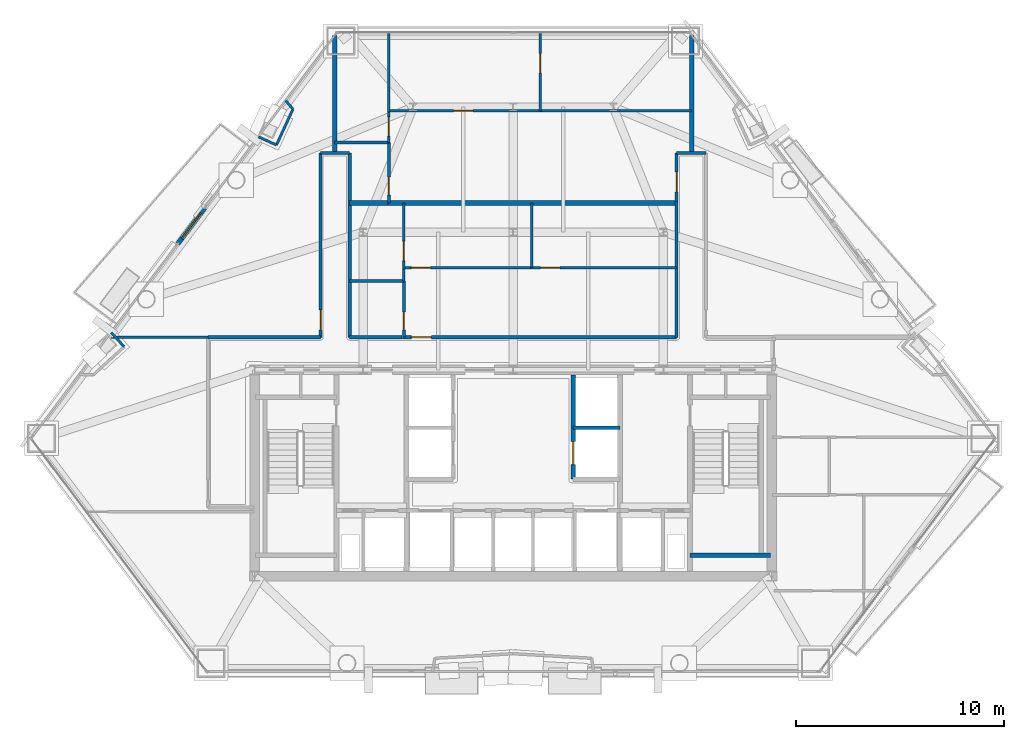
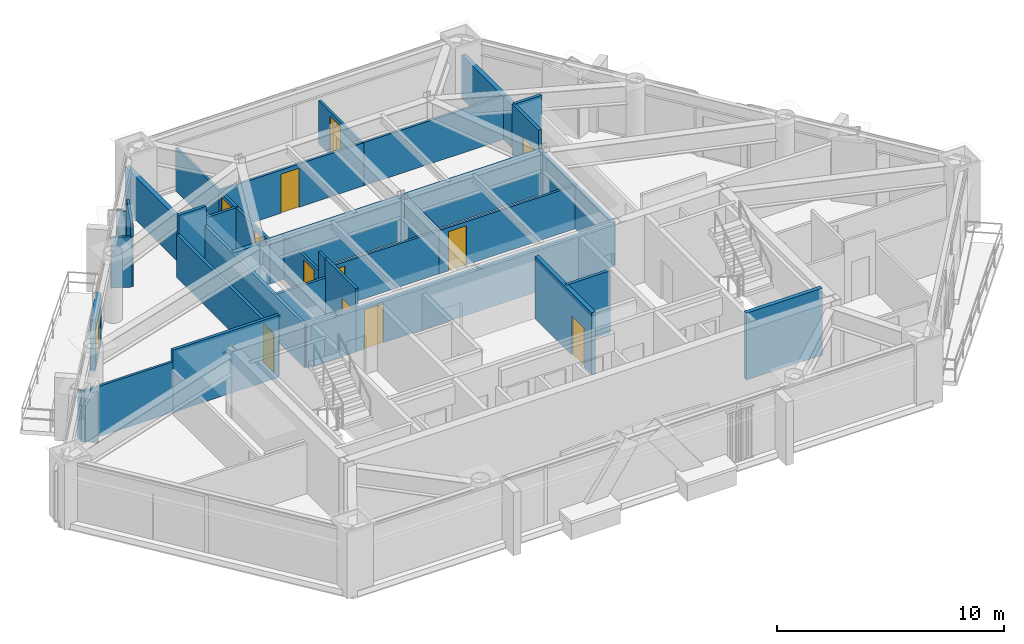
# One storey, part 7 of 11: 36 walls, 13 doors, 13 openings.
"""IFC4 building model written with IfcOpenShell, lengths in metres."""

from ifc_helpers import new_model, si_unit, direction, frame, frame_2d, origin, place, context, subcontext, project, spatial, rectangle, extrude, material, layer, layer_set, type_object, element, fill, save


model = new_model("IFC4")

# Units and contexts
model_context = context("Model", 3, precision=1e-05, world=origin(), true_north=direction((0.0, 1.0)))
body_context = subcontext(model_context, "Body", "Model", "MODEL_VIEW")
ifc_project = project(units=[si_unit("LENGTHUNIT", "METRE"), si_unit("AREAUNIT", "SQUARE_METRE"), si_unit("VOLUMEUNIT", "CUBIC_METRE"), si_unit("PLANEANGLEUNIT", "RADIAN"), si_unit("MASSUNIT", "GRAM", prefix="KILO")], contexts=[model_context])

# Site, building, storey
site_placement = place(None, origin())
site = spatial("IfcSite", under=ifc_project, at=site_placement, CompositionType="ELEMENT")
building_placement = place(site_placement, origin())
building = spatial("IfcBuilding", under=site, at=building_placement, Name="Talgorran Terracotta Tower", CompositionType="ELEMENT")
storey_placement = place(building_placement, frame((0.0, 0.0, 35.10009765625)))
storey = spatial("IfcBuildingStorey", under=building, at=storey_placement, Name="L08", CompositionType="ELEMENT", Elevation=35.10009765625)

# Wall, opening, door
ifc_material_1 = material(Name="Concrete C40/50", Category="concrete")
ifc_layer_1 = layer(ifc_material_1, 0.239990234375, Name="WT_BALCONY_SPAND")
ifc_layer_set_1 = layer_set([ifc_layer_1], Name="Concrete C40/50")
wall_type_1 = type_object("IfcWallType", Name="WT_BALCONY_SPAND", PredefinedType="STANDARD", material=ifc_layer_set_1)
wall_1_placement = place(storey_placement, frame((-14.799560546875, 3.560791015625, -0.01513671875), z_axis=(0.0, 0.0, 1.0), x_axis=(-0.601823875366, -0.798628839349, 0.0)))
wall_1 = element("IfcWall", 1, at=wall_1_placement, inside=storey, type_object=wall_type_1, Name="WL-L08-BALP-BAL-NW", PredefinedType="STANDARD", context=body_context, shape_type="SweptSolid", body=[
    extrude(rectangle(XDim=2.139892578125, YDim=0.239990234375, at=frame_2d((1.06982421875, 0.0))), origin(), (0.0, 0.0, 1.0), 2.728515625),
])
opening_1_placement = place(wall_1_placement, frame((0.320068359375, 0.0, 0.014892578125)))
opening_1 = element("IfcOpeningElement", 2, at=opening_1_placement, cuts=wall_1, Name="Opening D-BAL-L08-2", PredefinedType="OPENING", context=body_context, shape_type="SweptSolid", body=[
    extrude(rectangle(XDim=1.506, YDim=2.203951171875, at=frame_2d((0.75, 1.10205078125))), frame((0.0, 0.1298828125, 0.0), z_axis=(0.0, -1.0, 0.0), x_axis=(1.0, 0.0, 0.0)), (0.0, 0.0, 1.0), 0.260009765625),
])
ifc_material_2 = material(Name="Thermally Broken Aluminium", Category="aluminium")
door_type_1 = type_object("IfcDoorType", Name="DT_BALC_1500", OperationType="SLIDING_TO_RIGHT", PredefinedType="DOOR", material=ifc_material_2)
door_1_placement = place(opening_1_placement, origin())
door_1 = element("IfcDoor", 3, at=door_1_placement, inside=storey, type_object=door_type_1, Name="DR-L08-BAL-BAL-NW", OperationType="SLIDING_TO_RIGHT", OverallHeight=2.199951171875, OverallWidth=1.5, PredefinedType="DOOR", context=body_context, shape_type="SweptSolid", body=[
    extrude(rectangle(XDim=1.5, YDim=2.199951171875, at=frame_2d((0.75, 1.10009765625))), frame((0.0, 0.02490234375, 0.0), z_axis=(0.0, -1.0, 0.0), x_axis=(1.0, 0.0, 0.0)), (0.0, 0.0, 1.0), 0.050048828125),
])
fill(opening_1, door_1)

# Wall
ifc_material_3 = material(Name="Concrete C50/60", Category="concrete")
ifc_layer_2 = layer(ifc_material_3, 0.199951171875, Name="WT_CORE_200")
ifc_layer_set_2 = layer_set([ifc_layer_2], Name="Concrete C50/60")
wall_type_2 = type_object("IfcWallType", Name="WT_CORE_200", PredefinedType="SOLIDWALL", material=ifc_layer_set_2)
wall_2_placement = place(storey_placement, frame((8.47998046875, -13.10009765625, 0.0), z_axis=(0.0, 0.0, 1.0), x_axis=(1.0, 0.0, 0.0)))
element("IfcWall", 4, at=wall_2_placement, inside=storey, type_object=wall_type_2, Name="WL-L08-CW-ST2-S", PredefinedType="SOLIDWALL", context=body_context, shape_type="SweptSolid", body=[
    extrude(rectangle(XDim=3.8701171875, YDim=0.199951171875, at=frame_2d((1.93505859375, 0.0))), origin(), (0.0, 0.0, 1.0), 3.599853515625),
])

# Wall, opening, door
wall_3_placement = place(storey_placement, frame((2.8798828125, -9.449951171875, 0.0), z_axis=(0.0, 0.0, 1.0), x_axis=(0.0, 1.0, 0.0)))
wall_3 = element("IfcWall", 5, at=wall_3_placement, inside=storey, type_object=wall_type_2, Name="WL-L08-CW-V-E3", PredefinedType="SOLIDWALL", context=body_context, shape_type="SweptSolid", body=[
    extrude(rectangle(XDim=5.0, YDim=0.199951171875, at=frame_2d((2.5, 0.0))), origin(), (0.0, 0.0, 1.0), 3.349853515625),
])
opening_2_placement = place(wall_3_placement, frame((0.699951171875, 0.0, 0.0)))
opening_2 = element("IfcOpeningElement", 6, at=opening_2_placement, cuts=wall_3, Name="Opening LD-PLM1", PredefinedType="OPENING", context=body_context, shape_type="SweptSolid", body=[
    extrude(rectangle(XDim=1.10609765625, YDim=2.10409765625, at=frame_2d((0.550048828125, 1.052001953125))), frame((0.0, 0.10986328125, 0.0), z_axis=(0.0, -1.0, 0.0), x_axis=(1.0, 0.0, 0.0)), (0.0, 0.0, 1.0), 0.219970703125),
])
ifc_material_4 = material(Name="Brushed Stainless Steel Grade 304", Category="steel")
door_type_2 = type_object("IfcDoorType", Name="DT_LIFT_LD1100", OperationType="DOUBLE_DOOR_SLIDING", PredefinedType="DOOR", material=ifc_material_4)
door_2_placement = place(opening_2_placement, origin())
door_2 = element("IfcDoor", 7, at=door_2_placement, inside=storey, type_object=door_type_2, Name="L08 Lift Landing Door LD-PLM1", OperationType="DOUBLE_DOOR_SLIDING", OverallHeight=2.10009765625, OverallWidth=1.10009765625, PredefinedType="DOOR", context=body_context, shape_type="SweptSolid", body=[
    extrude(rectangle(XDim=1.10009765625, YDim=2.10009765625, at=frame_2d((0.550048828125, 1.050048828125))), frame((0.0, 0.02490234375, 0.0), z_axis=(0.0, -1.0, 0.0), x_axis=(1.0, 0.0, 0.0)), (0.0, 0.0, 1.0), 0.050048828125),
])
fill(opening_2, door_2)

ifc_material_5 = material(Name="Fire-Rated Steel Stud Plasterboard", Category="steel")
ifc_layer_3 = layer(ifc_material_5, 0.14990234375, Name="WT_FIRE_150")
ifc_layer_set_3 = layer_set([ifc_layer_3], Name="Fire-Rated Steel Stud Plasterboard")
wall_type_3 = type_object("IfcWallType", Name="WT_FIRE_150", PredefinedType="PARTITIONING", material=ifc_layer_set_3)
wall_4_placement = place(storey_placement, frame((-5.320068359375, -2.639892578125, 0.0), z_axis=(0.0, 0.0, 1.0), x_axis=(1.0, 0.0, 0.0)))
wall_4 = element("IfcWall", 8, at=wall_4_placement, inside=storey, type_object=wall_type_3, Name="WL-L08-W-L08-R10", PredefinedType="PARTITIONING", context=body_context, shape_type="SweptSolid", body=[
    extrude(rectangle(XDim=13.16015625, YDim=0.14990234375, at=frame_2d((6.580078125, 0.0))), origin(), (0.0, 0.0, 1.0), 2.324951171875),
])
opening_3_placement = place(wall_4_placement, frame((0.439208984375, 0.0, 0.0)))
opening_3 = element("IfcOpeningElement", 9, at=opening_3_placement, cuts=wall_4, Name="Opening DR-L08-R11", PredefinedType="OPENING", context=body_context, shape_type="SweptSolid", body=[
    extrude(rectangle(XDim=0.955951171875, YDim=2.10409765625, at=frame_2d((0.47509765625, 1.052001953125))), frame((0.0, 0.0849609375, 0.0), z_axis=(0.0, -1.0, 0.0), x_axis=(1.0, 0.0, 0.0)), (0.0, 0.0, 1.0), 0.169921875),
])
ifc_material_6 = material(Name="Fire-Rated Timber Core", Category="wood")
door_type_3 = type_object("IfcDoorType", Name="DT_FIRE_950", OperationType="NOTDEFINED", PredefinedType="DOOR", material=ifc_material_6)
door_3_placement = place(opening_3_placement, origin())
door_3 = element("IfcDoor", 10, at=door_3_placement, inside=storey, type_object=door_type_3, Name="DR-L08-R11", OperationType="SINGLE_SWING_LEFT", OverallHeight=2.10009765625, OverallWidth=0.949951171875, PredefinedType="DOOR", context=body_context, shape_type="SweptSolid", body=[
    extrude(rectangle(XDim=0.949951171875, YDim=2.10009765625, at=frame_2d((0.47509765625, 1.050048828125))), frame((0.0, 0.02490234375, 0.0), z_axis=(0.0, -1.0, 0.0), x_axis=(1.0, 0.0, 0.0)), (0.0, 0.0, 1.0), 0.050048828125),
])
fill(opening_3, door_3)

wall_5_placement = place(storey_placement, frame((-9.239990234375, -2.639892578125, 0.0), z_axis=(0.0, 0.0, 1.0), x_axis=(0.0, 1.0, 0.0)))
wall_5 = element("IfcWall", 11, at=wall_5_placement, inside=storey, type_object=wall_type_3, Name="WL-L08-W-L08-R05", PredefinedType="PARTITIONING", context=body_context, shape_type="SweptSolid", body=[
    extrude(rectangle(XDim=8.83984375, YDim=0.14990234375, at=frame_2d((4.419921875, 0.0))), origin(), (0.0, 0.0, 1.0), 2.324951171875),
])
opening_4_placement = place(wall_5_placement, frame((0.359130859375, 0.0, 0.0)))
opening_4 = element("IfcOpeningElement", 12, at=opening_4_placement, cuts=wall_5, Name="Opening DR-L08-R08", PredefinedType="OPENING", context=body_context, shape_type="SweptSolid", body=[
    extrude(rectangle(XDim=0.955951171875, YDim=2.10409765625, at=frame_2d((0.47509765625, 1.052001953125))), frame((0.0, 0.0849609375, 0.0), z_axis=(0.0, -1.0, 0.0), x_axis=(1.0, 0.0, 0.0)), (0.0, 0.0, 1.0), 0.169921875),
])
door_4_placement = place(opening_4_placement, origin())
door_4 = element("IfcDoor", 13, at=door_4_placement, inside=storey, type_object=door_type_3, Name="DR-L08-R08", OperationType="SINGLE_SWING_RIGHT", OverallHeight=2.10009765625, OverallWidth=0.949951171875, PredefinedType="DOOR", context=body_context, shape_type="SweptSolid", body=[
    extrude(rectangle(XDim=0.949951171875, YDim=2.10009765625, at=frame_2d((0.47509765625, 1.050048828125))), frame((0.0, 0.02490234375, 0.0), z_axis=(0.0, -1.0, 0.0), x_axis=(1.0, 0.0, 0.0)), (0.0, 0.0, 1.0), 0.050048828125),
])
fill(opening_4, door_4)

# Walls
wall_6_placement = place(storey_placement, frame((-14.639892578125, -2.639892578125, 0.0), z_axis=(0.0, 0.0, 1.0), x_axis=(1.0, 0.0, 0.0)))
element("IfcWall", 14, at=wall_6_placement, inside=storey, type_object=wall_type_3, Name="WL-L08-W-L08-R04", PredefinedType="PARTITIONING", context=body_context, shape_type="SweptSolid", body=[
    extrude(rectangle(XDim=5.39990234375, YDim=0.14990234375, at=frame_2d((2.699951171875, 0.0))), origin(), (0.0, 0.0, 1.0), 3.349853515625),
])
wall_7_placement = place(storey_placement, frame((-7.840087890625, -2.639892578125, 0.0), z_axis=(0.0, 0.0, 1.0), x_axis=(0.0, 1.0, 0.0)))
element("IfcWall", 15, at=wall_7_placement, inside=storey, type_object=wall_type_3, Name="WL-L08-W-L08-R09", PredefinedType="PARTITIONING", context=body_context, shape_type="SweptSolid", body=[
    extrude(rectangle(XDim=8.83984375, YDim=0.14990234375, at=frame_2d((4.419921875, 0.0))), origin(), (0.0, 0.0, 1.0), 2.324951171875),
])
wall_8_placement = place(storey_placement, frame((7.840087890625, -2.639892578125, 0.0), z_axis=(0.0, 0.0, 1.0), x_axis=(0.0, 1.0, 0.0)))
element("IfcWall", 16, at=wall_8_placement, inside=storey, type_object=wall_type_3, Name="WL-L08-W-L08-R11", PredefinedType="PARTITIONING", context=body_context, shape_type="SweptSolid", body=[
    extrude(rectangle(XDim=6.5, YDim=0.14990234375, at=frame_2d((3.25, 0.0))), origin(), (0.0, 0.0, 1.0), 2.324951171875),
])
wall_9_placement = place(storey_placement, frame((-7.840087890625, -2.639892578125, 0.0), z_axis=(0.0, 0.0, 1.0), x_axis=(1.0, 0.0, 0.0)))
element("IfcWall", 17, at=wall_9_placement, inside=storey, type_object=wall_type_3, Name="WL-L08-W-L08-R08", PredefinedType="PARTITIONING", context=body_context, shape_type="SweptSolid", body=[
    extrude(rectangle(XDim=2.51806640625, YDim=0.14990234375, at=frame_2d((1.259033203125, 0.0))), origin(), (0.0, 0.0, 1.0), 2.324951171875),
])

# Wall, opening, door
wall_10_placement = place(storey_placement, frame((7.840087890625, 3.862060546875, 0.0), z_axis=(0.0, 0.0, 1.0), x_axis=(0.0, 1.0, 0.0)))
wall_10 = element("IfcWall", 18, at=wall_10_placement, inside=storey, type_object=wall_type_3, Name="WL-L08-W-L08-R15", PredefinedType="PARTITIONING", context=body_context, shape_type="SweptSolid", body=[
    extrude(rectangle(XDim=2.337890625, YDim=0.14990234375, at=frame_2d((1.1689453125, 0.0))), origin(), (0.0, 0.0, 1.0), 3.349853515625),
])
opening_5_placement = place(wall_10_placement, frame((0.47412109375, 0.0, 0.0)))
opening_5 = element("IfcOpeningElement", 19, at=opening_5_placement, cuts=wall_10, Name="Opening DR-L08-R16", PredefinedType="OPENING", context=body_context, shape_type="SweptSolid", body=[
    extrude(rectangle(XDim=0.955951171875, YDim=2.10409765625, at=frame_2d((0.47509765625, 1.052001953125))), frame((0.0, 0.0849609375, 0.0), z_axis=(0.0, -1.0, 0.0), x_axis=(1.0, 0.0, 0.0)), (0.0, 0.0, 1.0), 0.169921875),
])
door_5_placement = place(opening_5_placement, origin())
door_5 = element("IfcDoor", 20, at=door_5_placement, inside=storey, type_object=door_type_3, Name="DR-L08-R16", OperationType="SINGLE_SWING_RIGHT", OverallHeight=2.10009765625, OverallWidth=0.949951171875, PredefinedType="DOOR", context=body_context, shape_type="SweptSolid", body=[
    extrude(rectangle(XDim=0.949951171875, YDim=2.10009765625, at=frame_2d((0.47509765625, 1.050048828125))), frame((0.0, 0.02490234375, 0.0), z_axis=(0.0, -1.0, 0.0), x_axis=(1.0, 0.0, 0.0)), (0.0, 0.0, 1.0), 0.050048828125),
])
fill(opening_5, door_5)

# Walls
for number, where, z_axis, x_axis, name in (
    (21, (-9.239990234375, 6.199951171875, 0.0), (0.0, 0.0, 1.0), (1.0, 0.0, 0.0), "WL-L08-W-L08-R13"),
    (22, (7.840087890625, 6.199951171875, 0.0), (0.0, 0.0, 1.0), (1.0, 0.0, 0.0), "WL-L08-W-L08-R16"),
):
    element("IfcWall", number, at=place(storey_placement, frame(where, z_axis=z_axis, x_axis=x_axis)), inside=storey, type_object=wall_type_3, Name=name, PredefinedType="PARTITIONING", context=body_context, shape_type="SweptSolid", body=[
        extrude(rectangle(XDim=1.39990234375, YDim=0.14990234375, at=frame_2d((0.699951171875, 0.0))), origin(), (0.0, 0.0, 1.0), 3.349853515625),
    ])
ifc_material_7 = material(Name="Acoustic Masonry and Plasterboard", Category="masonry")
ifc_layer_4 = layer(ifc_material_7, 0.219970703125, Name="WT_PARTY_220")
ifc_layer_set_4 = layer_set([ifc_layer_4], Name="Acoustic Masonry and Plasterboard")
wall_type_4 = type_object("IfcWallType", Name="WT_PARTY_220", PredefinedType="PARTITIONING", material=ifc_layer_set_4)
wall_11_placement = place(storey_placement, frame((-6.0, 3.800048828125, 0.0), z_axis=(0.0, 0.0, 1.0), x_axis=(1.0, 0.0, 0.0)))
element("IfcWall", 23, at=wall_11_placement, inside=storey, type_object=wall_type_4, Name="WL-L08-W-L08-R44", PredefinedType="PARTITIONING", context=body_context, shape_type="SweptSolid", body=[
    extrude(rectangle(XDim=13.840087890625, YDim=0.219970703125, at=frame_2d((6.919921875, 0.0))), origin(), (0.0, 0.0, 1.0), 2.324951171875),
])
for number, where, z_axis, x_axis, name in (
    (24, (-8.56005859375, 6.199951171875, 0.0), (0.0, 0.0, 1.0), (0.0, 1.0, 0.0), "WL-L08-W-L08-R33"),
    (25, (8.56005859375, 6.199951171875, 0.0), (0.0, 0.0, 1.0), (0.0, 1.0, 0.0), "WL-L08-W-L08-R53"),
):
    element("IfcWall", number, at=place(storey_placement, frame(where, z_axis=z_axis, x_axis=x_axis)), inside=storey, type_object=wall_type_4, Name=name, PredefinedType="PARTITIONING", context=body_context, shape_type="SweptSolid", body=[
        extrude(rectangle(XDim=5.64111328125, YDim=0.219970703125, at=frame_2d((2.820556640625, 0.0))), origin(), (0.0, 0.0, 1.0), 2.324951171875),
    ])
wall_12_placement = place(storey_placement, frame((-7.840087890625, 3.800048828125, 0.0), z_axis=(0.0, 0.0, 1.0), x_axis=(1.0, 0.0, 0.0)))
element("IfcWall", 26, at=wall_12_placement, inside=storey, type_object=wall_type_4, Name="WL-L08-W-L08-R38", PredefinedType="PARTITIONING", context=body_context, shape_type="SweptSolid", body=[
    extrude(rectangle(XDim=1.838134765625, YDim=0.219970703125, at=frame_2d((0.9189453125, 0.0))), origin(), (0.0, 0.0, 1.0), 2.324951171875),
])

# Wall, opening, door
ifc_material_8 = material(Name="Insulated Steel Stud Plasterboard", Category="steel")
ifc_layer_5 = layer(ifc_material_8, 0.1201171875, Name="WT_PART_120")
ifc_layer_set_5 = layer_set([ifc_layer_5], Name="Insulated Steel Stud Plasterboard")
wall_type_5 = type_object("IfcWallType", Name="WT_PART_120", PredefinedType="PARTITIONING", material=ifc_layer_set_5)
wall_13_placement = place(storey_placement, frame((-5.9599609375, 8.219970703125, 0.0), z_axis=(0.0, 0.0, 1.0), x_axis=(1.0, 0.0, 0.0)))
wall_13 = element("IfcWall", 27, at=wall_13_placement, inside=storey, type_object=wall_type_5, Name="WL-L08-W-L08-R49", PredefinedType="PARTITIONING", context=body_context, shape_type="SweptSolid", body=[
    extrude(rectangle(XDim=7.320068359375, YDim=0.1201171875, at=frame_2d((3.66015625, 0.0))), origin(), (0.0, 0.0, 1.0), 2.324951171875),
])
opening_6_placement = place(wall_13_placement, frame((3.1005859375, 0.0, 0.0)))
opening_6 = element("IfcOpeningElement", 28, at=opening_6_placement, cuts=wall_13, Name="Opening DR-L08-R17", PredefinedType="OPENING", context=body_context, shape_type="SweptSolid", body=[
    extrude(rectangle(XDim=0.925921875, YDim=2.10409765625, at=frame_2d((0.4599609375, 1.052001953125))), frame((0.0, 0.070068359375, 0.0), z_axis=(0.0, -1.0, 0.0), x_axis=(1.0, 0.0, 0.0)), (0.0, 0.0, 1.0), 0.14013671875),
])
ifc_material_9 = material(Name="Solid-Core Painted Timber", Category="wood")
door_type_4 = type_object("IfcDoorType", Name="DT_INT_920", OperationType="NOTDEFINED", PredefinedType="DOOR", material=ifc_material_9)
door_6_placement = place(opening_6_placement, origin())
door_6 = element("IfcDoor", 29, at=door_6_placement, inside=storey, type_object=door_type_4, Name="DR-L08-R17", OperationType="SINGLE_SWING_LEFT", OverallHeight=2.10009765625, OverallWidth=0.919921875, PredefinedType="DOOR", context=body_context, shape_type="SweptSolid", body=[
    extrude(rectangle(XDim=0.919921875, YDim=2.10009765625, at=frame_2d((0.4599609375, 1.050048828125))), frame((0.0, 0.02490234375, 0.0), z_axis=(0.0, -1.0, 0.0), x_axis=(1.0, 0.0, 0.0)), (0.0, 0.0, 1.0), 0.050048828125),
])
fill(opening_6, door_6)

# Wall
wall_14_placement = place(storey_placement, frame((1.362060546875, 8.219970703125, 0.0), z_axis=(0.0, 0.0, 1.0), x_axis=(1.0, 0.0, 0.0)))
element("IfcWall", 30, at=wall_14_placement, inside=storey, type_object=wall_type_5, Name="WL-L08-W-L08-R50", PredefinedType="PARTITIONING", context=body_context, shape_type="SweptSolid", body=[
    extrude(rectangle(XDim=7.197998046875, YDim=0.1201171875, at=frame_2d((3.59912109375, 0.0))), origin(), (0.0, 0.0, 1.0), 2.324951171875),
])

# Wall, opening, door
wall_15_placement = place(storey_placement, frame((0.840087890625, 0.699951171875, 0.0), z_axis=(0.0, 0.0, 1.0), x_axis=(1.0, 0.0, 0.0)))
wall_15 = element("IfcWall", 31, at=wall_15_placement, inside=storey, type_object=wall_type_5, Name="WL-L08-W-L08-R41", PredefinedType="PARTITIONING", context=body_context, shape_type="SweptSolid", body=[
    extrude(rectangle(XDim=7.0, YDim=0.1201171875, at=frame_2d((3.5, 0.0))), origin(), (0.0, 0.0, 1.0), 2.324951171875),
])
opening_7_placement = place(wall_15_placement, frame((0.4775390625, 0.0, 0.0)))
opening_7 = element("IfcOpeningElement", 32, at=opening_7_placement, cuts=wall_15, Name="Opening DR-L08-R13", PredefinedType="OPENING", context=body_context, shape_type="SweptSolid", body=[
    extrude(rectangle(XDim=0.925921875, YDim=2.10409765625, at=frame_2d((0.4599609375, 1.052001953125))), frame((0.0, 0.070068359375, 0.0), z_axis=(0.0, -1.0, 0.0), x_axis=(1.0, 0.0, 0.0)), (0.0, 0.0, 1.0), 0.14013671875),
])
door_7_placement = place(opening_7_placement, origin())
door_7 = element("IfcDoor", 33, at=door_7_placement, inside=storey, type_object=door_type_4, Name="DR-L08-R13", OperationType="SINGLE_SWING_LEFT", OverallHeight=2.10009765625, OverallWidth=0.919921875, PredefinedType="DOOR", context=body_context, shape_type="SweptSolid", body=[
    extrude(rectangle(XDim=0.919921875, YDim=2.10009765625, at=frame_2d((0.4599609375, 1.050048828125))), frame((0.0, 0.02490234375, 0.0), z_axis=(0.0, -1.0, 0.0), x_axis=(1.0, 0.0, 0.0)), (0.0, 0.0, 1.0), 0.050048828125),
])
fill(opening_7, door_7)

wall_16_placement = place(storey_placement, frame((-5.239990234375, 0.699951171875, 0.0), z_axis=(0.0, 0.0, 1.0), x_axis=(1.0, 0.0, 0.0)))
wall_16 = element("IfcWall", 34, at=wall_16_placement, inside=storey, type_object=wall_type_5, Name="WL-L08-W-L08-R40", PredefinedType="PARTITIONING", context=body_context, shape_type="SweptSolid", body=[
    extrude(rectangle(XDim=6.077880859375, YDim=0.1201171875, at=frame_2d((3.0390625, 0.0))), origin(), (0.0, 0.0, 1.0), 2.324951171875),
])
opening_8_placement = place(wall_16_placement, frame((0.358154296875, 0.0, 0.0)))
opening_8 = element("IfcOpeningElement", 35, at=opening_8_placement, cuts=wall_16, Name="Opening DR-L08-R12", PredefinedType="OPENING", context=body_context, shape_type="SweptSolid", body=[
    extrude(rectangle(XDim=0.925921875, YDim=2.10409765625, at=frame_2d((0.4599609375, 1.052001953125))), frame((0.0, 0.070068359375, 0.0), z_axis=(0.0, -1.0, 0.0), x_axis=(1.0, 0.0, 0.0)), (0.0, 0.0, 1.0), 0.14013671875),
])
door_8_placement = place(opening_8_placement, origin())
door_8 = element("IfcDoor", 36, at=door_8_placement, inside=storey, type_object=door_type_4, Name="DR-L08-R12", OperationType="SINGLE_SWING_RIGHT", OverallHeight=2.10009765625, OverallWidth=0.919921875, PredefinedType="DOOR", context=body_context, shape_type="SweptSolid", body=[
    extrude(rectangle(XDim=0.919921875, YDim=2.10009765625, at=frame_2d((0.4599609375, 1.050048828125))), frame((0.0, 0.02490234375, 0.0), z_axis=(0.0, -1.0, 0.0), x_axis=(1.0, 0.0, 0.0)), (0.0, 0.0, 1.0), 0.050048828125),
])
fill(opening_8, door_8)

# Walls
wall_17_placement = place(storey_placement, frame((-19.280029296875, -2.639892578125, 0.0), z_axis=(0.0, 0.0, 1.0), x_axis=(1.0, 0.0, 0.0)))
element("IfcWall", 37, at=wall_17_placement, inside=storey, type_object=wall_type_5, Name="WL-L08-W-L08-R21", PredefinedType="PARTITIONING", context=body_context, shape_type="SweptSolid", body=[
    extrude(rectangle(XDim=4.64013671875, YDim=0.1201171875, at=frame_2d((2.320068359375, 0.0))), origin(), (0.0, 0.0, 1.0), 2.71337890625),
])
wall_18_placement = place(storey_placement, frame((-5.9599609375, 8.159912109375, 0.0), z_axis=(0.0, 0.0, 1.0), x_axis=(0.0, 1.0, 0.0)))
element("IfcWall", 38, at=wall_18_placement, inside=storey, type_object=wall_type_5, Name="WL-L08-W-L08-R48", PredefinedType="PARTITIONING", context=body_context, shape_type="SweptSolid", body=[
    extrude(rectangle(XDim=3.810546875, YDim=0.1201171875, at=frame_2d((1.9052734375, 0.0))), origin(), (0.0, 0.0, 1.0), 2.324951171875),
])

# Wall, opening, door
wall_19_placement = place(storey_placement, frame((1.300048828125, 8.219970703125, 0.0), z_axis=(0.0, 0.0, 1.0), x_axis=(0.0, 1.0, 0.0)))
wall_19 = element("IfcWall", 39, at=wall_19_placement, inside=storey, type_object=wall_type_5, Name="WL-L08-W-L08-R52", PredefinedType="PARTITIONING", context=body_context, shape_type="SweptSolid", body=[
    extrude(rectangle(XDim=3.75048828125, YDim=0.1201171875, at=frame_2d((1.875244140625, 0.0))), origin(), (0.0, 0.0, 1.0), 2.324951171875),
])
opening_9_placement = place(wall_19_placement, frame((1.82080078125, 0.0, 0.0)))
opening_9 = element("IfcOpeningElement", 40, at=opening_9_placement, cuts=wall_19, Name="Opening DR-L08-R18", PredefinedType="OPENING", context=body_context, shape_type="SweptSolid", body=[
    extrude(rectangle(XDim=0.925921875, YDim=2.10409765625, at=frame_2d((0.4599609375, 1.052001953125))), frame((0.0, 0.070068359375, 0.0), z_axis=(0.0, -1.0, 0.0), x_axis=(1.0, 0.0, 0.0)), (0.0, 0.0, 1.0), 0.14013671875),
])
door_9_placement = place(opening_9_placement, origin())
door_9 = element("IfcDoor", 41, at=door_9_placement, inside=storey, type_object=door_type_4, Name="DR-L08-R18", OperationType="SINGLE_SWING_RIGHT", OverallHeight=2.10009765625, OverallWidth=0.919921875, PredefinedType="DOOR", context=body_context, shape_type="SweptSolid", body=[
    extrude(rectangle(XDim=0.919921875, YDim=2.10009765625, at=frame_2d((0.4599609375, 1.050048828125))), frame((0.0, 0.02490234375, 0.0), z_axis=(0.0, -1.0, 0.0), x_axis=(1.0, 0.0, 0.0)), (0.0, 0.0, 1.0), 0.050048828125),
])
fill(opening_9, door_9)

wall_20_placement = place(storey_placement, frame((-5.239990234375, 0.639892578125, 0.0), z_axis=(0.0, 0.0, 1.0), x_axis=(0.0, 1.0, 0.0)))
wall_20 = element("IfcWall", 42, at=wall_20_placement, inside=storey, type_object=wall_type_5, Name="WL-L08-W-L08-R37", PredefinedType="PARTITIONING", context=body_context, shape_type="SweptSolid", body=[
    extrude(rectangle(XDim=3.16015625, YDim=0.1201171875, at=frame_2d((1.580078125, 0.0))), origin(), (0.0, 0.0, 1.0), 2.324951171875),
])
opening_10_placement = place(wall_20_placement, frame((0.39990234375, 0.0, 0.0)))
opening_10 = element("IfcOpeningElement", 43, at=opening_10_placement, cuts=wall_20, Name="Opening DR-L08-R10", PredefinedType="OPENING", context=body_context, shape_type="SweptSolid", body=[
    extrude(rectangle(XDim=0.925921875, YDim=2.10409765625, at=frame_2d((0.4599609375, 1.052001953125))), frame((0.0, 0.070068359375, 0.0), z_axis=(0.0, -1.0, 0.0), x_axis=(1.0, 0.0, 0.0)), (0.0, 0.0, 1.0), 0.14013671875),
])
door_10_placement = place(opening_10_placement, origin())
door_10 = element("IfcDoor", 44, at=door_10_placement, inside=storey, type_object=door_type_4, Name="DR-L08-R10", OperationType="SINGLE_SWING_RIGHT", OverallHeight=2.10009765625, OverallWidth=0.919921875, PredefinedType="DOOR", context=body_context, shape_type="SweptSolid", body=[
    extrude(rectangle(XDim=0.919921875, YDim=2.10009765625, at=frame_2d((0.4599609375, 1.050048828125))), frame((0.0, 0.02490234375, 0.0), z_axis=(0.0, -1.0, 0.0), x_axis=(1.0, 0.0, 0.0)), (0.0, 0.0, 1.0), 0.050048828125),
])
fill(opening_10, door_10)

# Walls
wall_21_placement = place(storey_placement, frame((0.89990234375, 0.699951171875, 0.0), z_axis=(0.0, 0.0, 1.0), x_axis=(0.0, 1.0, 0.0)))
element("IfcWall", 45, at=wall_21_placement, inside=storey, type_object=wall_type_5, Name="WL-L08-W-L08-R42", PredefinedType="PARTITIONING", context=body_context, shape_type="SweptSolid", body=[
    extrude(rectangle(XDim=3.10009765625, YDim=0.1201171875, at=frame_2d((1.550048828125, 0.0))), origin(), (0.0, 0.0, 1.0), 2.324951171875),
])
wall_22_placement = place(storey_placement, frame((-10.564697265625, 8.30224609375, 0.0), z_axis=(0.0, 0.0, 1.0), x_axis=(-0.417514536704, -0.90867024362, 0.0)))
element("IfcWall", 46, at=wall_22_placement, inside=storey, type_object=wall_type_5, Name="WL-L08-BW-L08-12", PredefinedType="PARTITIONING", context=body_context, shape_type="SweptSolid", body=[
    extrude(rectangle(XDim=1.896240234375, YDim=0.1201171875, at=frame_2d((0.9482421875, 0.0))), origin(), (0.0, 0.0, 1.0), 3.349853515625),
])

# Wall, opening, door
wall_23_placement = place(storey_placement, frame((-5.9599609375, 6.699951171875, 0.0), z_axis=(0.0, 0.0, 1.0), x_axis=(0.0, 1.0, 0.0)))
wall_23 = element("IfcWall", 47, at=wall_23_placement, inside=storey, type_object=wall_type_5, Name="WL-L08-W-L08-R47", PredefinedType="PARTITIONING", context=body_context, shape_type="SweptSolid", body=[
    extrude(rectangle(XDim=1.4580078125, YDim=0.1201171875, at=frame_2d((0.72900390625, 0.0))), origin(), (0.0, 0.0, 1.0), 2.324951171875),
])
opening_11_placement = place(wall_23_placement, frame((0.310791015625, 0.0, 0.0)))
opening_11 = element("IfcOpeningElement", 48, at=opening_11_placement, cuts=wall_23, Name="Opening DR-L08-R15", PredefinedType="OPENING", context=body_context, shape_type="SweptSolid", body=[
    extrude(rectangle(XDim=0.925921875, YDim=2.10409765625, at=frame_2d((0.4599609375, 1.052001953125))), frame((0.0, 0.070068359375, 0.0), z_axis=(0.0, -1.0, 0.0), x_axis=(1.0, 0.0, 0.0)), (0.0, 0.0, 1.0), 0.14013671875),
])
door_11_placement = place(opening_11_placement, origin())
door_11 = element("IfcDoor", 49, at=door_11_placement, inside=storey, type_object=door_type_4, Name="DR-L08-R15", OperationType="SINGLE_SWING_LEFT", OverallHeight=2.10009765625, OverallWidth=0.919921875, PredefinedType="DOOR", context=body_context, shape_type="SweptSolid", body=[
    extrude(rectangle(XDim=0.919921875, YDim=2.10009765625, at=frame_2d((0.4599609375, 1.050048828125))), frame((0.0, 0.02490234375, 0.0), z_axis=(0.0, -1.0, 0.0), x_axis=(1.0, 0.0, 0.0)), (0.0, 0.0, 1.0), 0.050048828125),
])
fill(opening_11, door_11)

# Walls
wall_24_placement = place(storey_placement, frame((-11.3564453125, 6.5791015625, 0.0), z_axis=(0.0, 0.0, 1.0), x_axis=(-0.908713919018, 0.417419469339, 0.0)))
element("IfcWall", 50, at=wall_24_placement, inside=storey, type_object=wall_type_5, Name="WL-L08-BW-L08-13", PredefinedType="PARTITIONING", context=body_context, shape_type="SweptSolid", body=[
    extrude(rectangle(XDim=0.945068359375, YDim=0.1201171875, at=frame_2d((0.47265625, 0.0))), origin(), (0.0, 0.0, 1.0), 2.71337890625),
])
wall_25_placement = place(storey_placement, frame((-19.286865234375, -2.41064453125, 0.0), z_axis=(0.0, 0.0, 1.0), x_axis=(0.674125797279, -0.738616551021, 0.0)))
element("IfcWall", 51, at=wall_25_placement, inside=storey, type_object=wall_type_5, Name="WL-L08-BW-L08-05", PredefinedType="PARTITIONING", context=body_context, shape_type="SweptSolid", body=[
    extrude(rectangle(XDim=0.927490234375, YDim=0.1201171875, at=frame_2d((0.4638671875, 0.0))), origin(), (0.0, 0.0, 1.0), 2.71337890625),
])
wall_26_placement = place(storey_placement, frame((-5.239990234375, 0.06005859375, 0.0), z_axis=(0.0, 0.0, 1.0), x_axis=(0.0, 1.0, 0.0)))
element("IfcWall", 52, at=wall_26_placement, inside=storey, type_object=wall_type_5, Name="WL-L08-W-L08-R36", PredefinedType="PARTITIONING", context=body_context, shape_type="SweptSolid", body=[
    extrude(rectangle(XDim=0.577880859375, YDim=0.1201171875, at=frame_2d((0.2890625, 0.0))), origin(), (0.0, 0.0, 1.0), 3.349853515625),
])
wall_27_placement = place(storey_placement, frame((-10.909423828125, 8.706787109375, 0.0), z_axis=(0.0, 0.0, 1.0), x_axis=(0.648594610132, -0.761134043193, 0.0)))
element("IfcWall", 53, at=wall_27_placement, inside=storey, type_object=wall_type_5, Name="WL-L08-BW-L08-11", PredefinedType="PARTITIONING", context=body_context, shape_type="SweptSolid", body=[
    extrude(rectangle(XDim=0.531494140625, YDim=0.1201171875, at=frame_2d((0.265625, 0.0))), origin(), (0.0, 0.0, 1.0), 2.71337890625),
])

# Wall, opening, door
ifc_material_10 = material(Name="Moisture-Resistant Stud Wall")
ifc_layer_6 = layer(ifc_material_10, 0.135009765625, Name="WT_PART_135")
ifc_layer_set_6 = layer_set([ifc_layer_6], Name="Moisture-Resistant Stud Wall")
wall_type_6 = type_object("IfcWallType", Name="WT_PART_135", PredefinedType="PARTITIONING", material=ifc_layer_set_6)
wall_28_placement = place(storey_placement, frame((-5.9599609375, 3.800048828125, 0.0), z_axis=(0.0, 0.0, 1.0), x_axis=(0.0, 1.0, 0.0)))
wall_28 = element("IfcWall", 54, at=wall_28_placement, inside=storey, type_object=wall_type_6, Name="WL-L08-W-L08-R46", PredefinedType="PARTITIONING", context=body_context, shape_type="SweptSolid", body=[
    extrude(rectangle(XDim=2.89990234375, YDim=0.135009765625, at=frame_2d((1.449951171875, 0.0))), origin(), (0.0, 0.0, 1.0), 2.324951171875),
])
opening_12_placement = place(wall_28_placement, frame((0.3955078125, 0.0, 0.0)))
opening_12 = element("IfcOpeningElement", 55, at=opening_12_placement, cuts=wall_28, Name="Opening DR-L08-R14", PredefinedType="OPENING", context=body_context, shape_type="SweptSolid", body=[
    extrude(rectangle(XDim=0.85609765625, YDim=2.10409765625, at=frame_2d((0.425048828125, 1.052001953125))), frame((0.0, 0.07763671875, 0.0), z_axis=(0.0, -1.0, 0.0), x_axis=(1.0, 0.0, 0.0)), (0.0, 0.0, 1.0), 0.155029296875),
])
ifc_material_11 = material(Name="Moisture-Resistant Solid Timber", Category="wood")
door_type_5 = type_object("IfcDoorType", Name="DT_INT_850", OperationType="NOTDEFINED", PredefinedType="DOOR", material=ifc_material_11)
door_12_placement = place(opening_12_placement, origin())
door_12 = element("IfcDoor", 56, at=door_12_placement, inside=storey, type_object=door_type_5, Name="DR-L08-R14", OperationType="SINGLE_SWING_RIGHT", OverallHeight=2.10009765625, OverallWidth=0.85009765625, PredefinedType="DOOR", context=body_context, shape_type="SweptSolid", body=[
    extrude(rectangle(XDim=0.85009765625, YDim=2.10009765625, at=frame_2d((0.425048828125, 1.050048828125))), frame((0.0, 0.02490234375, 0.0), z_axis=(0.0, -1.0, 0.0), x_axis=(1.0, 0.0, 0.0)), (0.0, 0.0, 1.0), 0.050048828125),
])
fill(opening_12, door_12)

wall_29_placement = place(storey_placement, frame((-5.239990234375, -2.639892578125, 0.0), z_axis=(0.0, 0.0, 1.0), x_axis=(0.0, 1.0, 0.0)))
wall_29 = element("IfcWall", 57, at=wall_29_placement, inside=storey, type_object=wall_type_6, Name="WL-L08-W-L08-R35", PredefinedType="PARTITIONING", context=body_context, shape_type="SweptSolid", body=[
    extrude(rectangle(XDim=2.699951171875, YDim=0.135009765625, at=frame_2d((1.35009765625, 0.0))), origin(), (0.0, 0.0, 1.0), 3.349853515625),
])
opening_13_placement = place(wall_29_placement, frame((0.355712890625, 0.0, 0.0)))
opening_13 = element("IfcOpeningElement", 58, at=opening_13_placement, cuts=wall_29, Name="Opening DR-L08-R09", PredefinedType="OPENING", context=body_context, shape_type="SweptSolid", body=[
    extrude(rectangle(XDim=0.85609765625, YDim=2.10409765625, at=frame_2d((0.425048828125, 1.052001953125))), frame((0.0, 0.07763671875, 0.0), z_axis=(0.0, -1.0, 0.0), x_axis=(1.0, 0.0, 0.0)), (0.0, 0.0, 1.0), 0.155029296875),
])
door_13_placement = place(opening_13_placement, origin())
door_13 = element("IfcDoor", 59, at=door_13_placement, inside=storey, type_object=door_type_5, Name="DR-L08-R09", OperationType="SINGLE_SWING_LEFT", OverallHeight=2.10009765625, OverallWidth=0.85009765625, PredefinedType="DOOR", context=body_context, shape_type="SweptSolid", body=[
    extrude(rectangle(XDim=0.85009765625, YDim=2.10009765625, at=frame_2d((0.425048828125, 1.050048828125))), frame((0.0, 0.02490234375, 0.0), z_axis=(0.0, -1.0, 0.0), x_axis=(1.0, 0.0, 0.0)), (0.0, 0.0, 1.0), 0.050048828125),
])
fill(opening_13, door_13)

# Walls
for number, where, z_axis, x_axis, name in (
    (60, (-8.56005859375, 6.699951171875, 0.0), (0.0, 0.0, 1.0), (1.0, 0.0, 0.0), "WL-L08-W-L08-R45"),
    (61, (-7.840087890625, 0.06005859375, 0.0), (0.0, 0.0, 1.0), (1.0, 0.0, 0.0), "WL-L08-W-L08-R34"),
):
    element("IfcWall", number, at=place(storey_placement, frame(where, z_axis=z_axis, x_axis=x_axis)), inside=storey, type_object=wall_type_6, Name=name, PredefinedType="PARTITIONING", context=body_context, shape_type="SweptSolid", body=[
        extrude(rectangle(XDim=2.60009765625, YDim=0.135009765625, at=frame_2d((1.300048828125, 0.0))), origin(), (0.0, 0.0, 1.0), 2.324951171875),
    ])
ifc_material_12 = material(Name="Fire-Rated Shaftwall")
ifc_layer_7 = layer(ifc_material_12, 0.159912109375, Name="WT_PART_150")
ifc_layer_set_7 = layer_set([ifc_layer_7], Name="Fire-Rated Shaftwall")
wall_type_7 = type_object("IfcWallType", Name="WT_PART_150", PredefinedType="PARTITIONING", material=ifc_layer_set_7)
wall_30_placement = place(storey_placement, frame((2.8798828125, -6.97998046875, 0.0), z_axis=(0.0, 0.0, 1.0), x_axis=(1.0, 0.0, 0.0)))
element("IfcWall", 62, at=wall_30_placement, inside=storey, type_object=wall_type_7, Name="WL-L08-CW-PLM-DIV", PredefinedType="PARTITIONING", context=body_context, shape_type="SweptSolid", body=[
    extrude(rectangle(XDim=2.240234375, YDim=0.159912109375, at=frame_2d((1.1201171875, 0.0))), origin(), (0.0, 0.0, 1.0), 3.349853515625),
])

save(model, "model.ifc")
